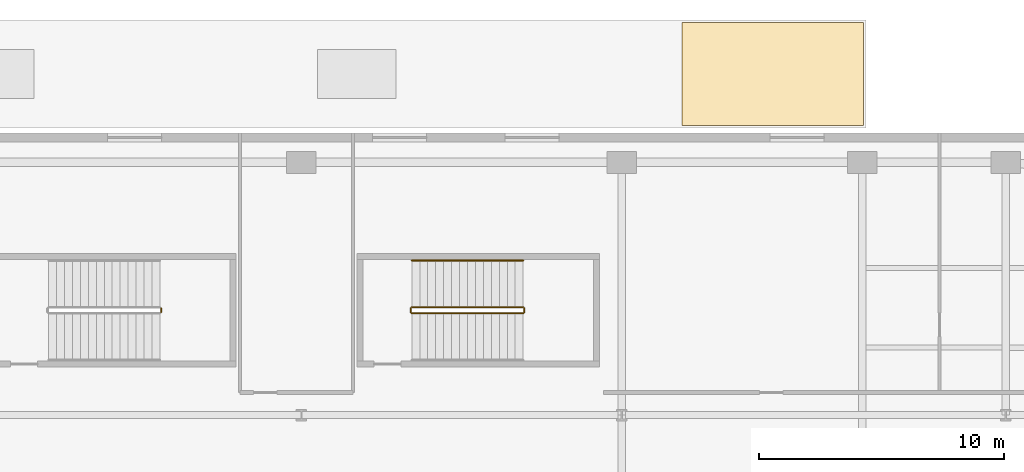
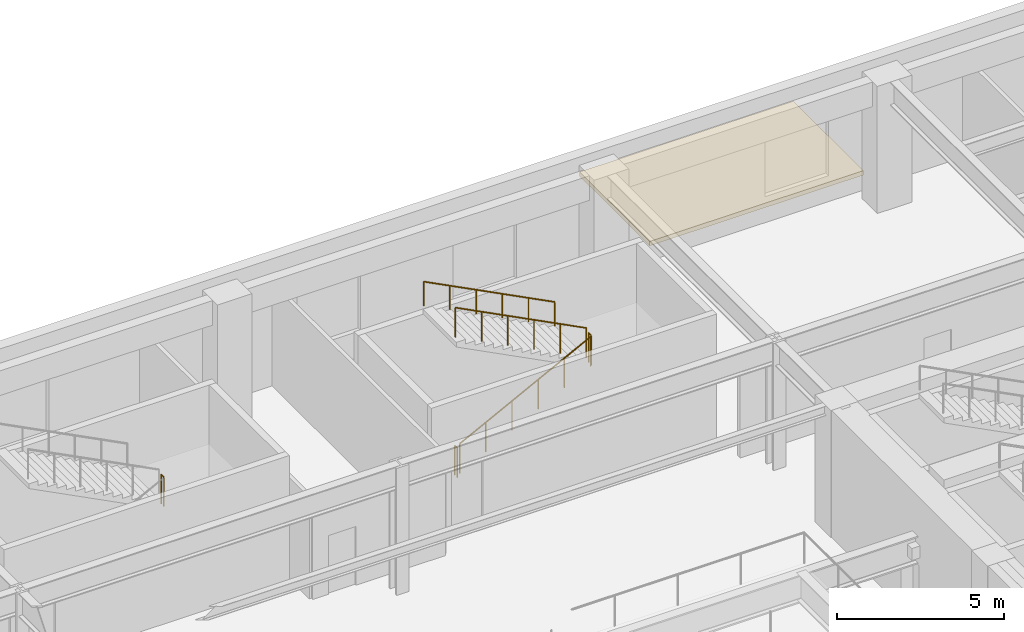
# One storey, part 22 of 24: 6 railings, 1 covering.
"""IFC4 building model written with IfcOpenShell, lengths in metres."""

from ifc_helpers import new_model, si_unit, direction, frame, origin, origin_2d, place, context, subcontext, project, spatial, polyline, circle, outline, extrude, material, layer, layer_set, type_object, element, save


model = new_model("IFC4")

# Units and contexts
model_context = context("Model", 3, precision=1e-05, world=origin(), true_north=direction((0.0, 1.0)))
body_context = subcontext(model_context, "Body", "Model", "MODEL_VIEW")
ifc_project = project(units=[si_unit("LENGTHUNIT", "METRE"), si_unit("AREAUNIT", "SQUARE_METRE"), si_unit("VOLUMEUNIT", "CUBIC_METRE"), si_unit("PLANEANGLEUNIT", "RADIAN"), si_unit("MASSUNIT", "GRAM", prefix="KILO")], contexts=[model_context])

# Site, building, storey
site_placement = place(None, origin())
site = spatial("IfcSite", under=ifc_project, at=site_placement, CompositionType="ELEMENT")
building_placement = place(site_placement, origin())
building = spatial("IfcBuilding", under=site, at=building_placement, Name="Kolvaren Arena Tower", CompositionType="ELEMENT")
storey_placement = place(building_placement, frame((0.0, 0.0, 8.0)))
storey = spatial("IfcBuildingStorey", under=building, at=storey_placement, Name="L01", CompositionType="ELEMENT", Elevation=8.0)

# Railings
ifc_material_1 = material(Name="Painted galvanized steel", Category="steel")
railing_type_1 = type_object("IfcRailingType", Name="GUARD-ST-110", PredefinedType="GUARDRAIL", material=ifc_material_1)
railing_1_placement = place(storey_placement, frame((31.785888671875, 47.199951171875, 2.5)))
element("IfcRailing", 1, at=railing_1_placement, inside=storey, type_object=railing_type_1, Name="L01 ST-A6 stair guard 2", PredefinedType="GUARDRAIL", context=body_context, shape_type="SweptSolid", body=[
    extrude(circle(Radius=0.02392578125, at=origin_2d()), frame((0.0, 0.0, 1.076171875), z_axis=(0.0, 1.0, 0.0), x_axis=(-1.0, 0.0, 0.0)), (0.0, 0.0, 1.0), 0.150146484375),
    extrude(circle(Radius=0.02099609375, at=origin_2d()), origin(), (0.0, 0.0, 1.0), 1.052001953125),
    extrude(circle(Radius=0.02099609375, at=origin_2d()), frame((0.0, 0.150146484375, 0.0)), (0.0, 0.0, 1.0), 1.052001953125),
])
railing_2_placement = place(storey_placement, frame((42.0, 47.14990234375, 0.166748046875)))
element("IfcRailing", 2, at=railing_2_placement, inside=storey, type_object=railing_type_1, Name="L01 ST-A7 stair guard 1", PredefinedType="GUARDRAIL", context=body_context, shape_type="SweptSolid", body=[
    extrude(circle(Radius=0.02392578125, at=origin_2d()), frame((0.0, 0.0, 1.076171875), z_axis=(0.889247197123, 0.0, 0.45742695855), x_axis=(0.0, 1.0, 0.0)), (0.0, 0.0, 1.0), 5.100830078125),
    extrude(circle(Radius=0.02099609375, at=origin_2d()), origin(), (0.0, 0.0, 1.0), 1.052001953125),
    extrude(circle(Radius=0.02099609375, at=origin_2d()), frame((0.9072265625, 0.0, 0.466552734375)), (0.0, 0.0, 1.0), 1.052001953125),
    extrude(circle(Radius=0.02099609375, at=origin_2d()), frame((1.814453125, 0.0, 0.933349609375)), (0.0, 0.0, 1.0), 1.052001953125),
    extrude(circle(Radius=0.02099609375, at=origin_2d()), frame((2.721435546875, 0.0, 1.39990234375)), (0.0, 0.0, 1.0), 1.052001953125),
    extrude(circle(Radius=0.02099609375, at=origin_2d()), frame((3.628662109375, 0.0, 1.86669921875)), (0.0, 0.0, 1.0), 1.052001953125),
    extrude(circle(Radius=0.02099609375, at=origin_2d()), frame((4.535888671875, 0.0, 2.333251953125)), (0.0, 0.0, 1.0), 1.052001953125),
])
railing_3_placement = place(storey_placement, frame((46.5859375, 47.199951171875, 2.5)))
element("IfcRailing", 3, at=railing_3_placement, inside=storey, type_object=railing_type_1, Name="L01 ST-A7 stair guard 2", PredefinedType="GUARDRAIL", context=body_context, shape_type="SweptSolid", body=[
    extrude(circle(Radius=0.02392578125, at=origin_2d()), frame((0.0, 0.0, 1.076171875), z_axis=(0.0, 1.0, 0.0), x_axis=(-1.0, 0.0, 0.0)), (0.0, 0.0, 1.0), 0.150146484375),
    extrude(circle(Radius=0.02099609375, at=origin_2d()), origin(), (0.0, 0.0, 1.0), 1.052001953125),
    extrude(circle(Radius=0.02099609375, at=origin_2d()), frame((0.0, 0.150146484375, 0.0)), (0.0, 0.0, 1.0), 1.052001953125),
])
railing_4_placement = place(storey_placement, frame((46.535888671875, 47.39990234375, 2.666748046875)))
element("IfcRailing", 4, at=railing_4_placement, inside=storey, type_object=railing_type_1, Name="L01 ST-A7 stair guard 3", PredefinedType="GUARDRAIL", context=body_context, shape_type="SweptSolid", body=[
    extrude(circle(Radius=0.02392578125, at=origin_2d()), frame((0.0, 0.0, 1.076171875), z_axis=(-0.889247197123, 0.0, 0.45742695855), x_axis=(0.0, -1.0, 0.0)), (0.0, 0.0, 1.0), 5.100830078125),
    extrude(circle(Radius=0.02099609375, at=origin_2d()), origin(), (0.0, 0.0, 1.0), 1.052001953125),
    extrude(circle(Radius=0.02099609375, at=origin_2d()), frame((-0.9072265625, 0.0, 0.466552734375)), (0.0, 0.0, 1.0), 1.052001953125),
    extrude(circle(Radius=0.02099609375, at=origin_2d()), frame((-1.814453125, 0.0, 0.933349609375)), (0.0, 0.0, 1.0), 1.052001953125),
    extrude(circle(Radius=0.02099609375, at=origin_2d()), frame((-2.721435546875, 0.0, 1.39990234375)), (0.0, 0.0, 1.0), 1.052001953125),
    extrude(circle(Radius=0.02099609375, at=origin_2d()), frame((-3.628662109375, 0.0, 1.86669921875)), (0.0, 0.0, 1.0), 1.052001953125),
    extrude(circle(Radius=0.02099609375, at=origin_2d()), frame((-4.535888671875, 0.0, 2.333251953125)), (0.0, 0.0, 1.0), 1.052001953125),
])
railing_5_placement = place(storey_placement, frame((41.949951171875, 47.199951171875, 0.0)))
element("IfcRailing", 5, at=railing_5_placement, inside=storey, type_object=railing_type_1, Name="L01 ST-A7 stair guard 4", PredefinedType="GUARDRAIL", context=body_context, shape_type="SweptSolid", body=[
    extrude(circle(Radius=0.02392578125, at=origin_2d()), frame((0.0, 0.0, 1.076171875), z_axis=(0.0, 1.0, 0.0), x_axis=(-1.0, 0.0, 0.0)), (0.0, 0.0, 1.0), 0.150146484375),
    extrude(circle(Radius=0.02099609375, at=origin_2d()), origin(), (0.0, 0.0, 1.0), 1.052001953125),
    extrude(circle(Radius=0.02099609375, at=origin_2d()), frame((0.0, 0.150146484375, 0.0)), (0.0, 0.0, 1.0), 1.052001953125),
])
ifc_material_2 = material(Name="Brushed stainless steel handrail", Category="steel")
railing_type_2 = type_object("IfcRailingType", Name="HRAIL-900", PredefinedType="HANDRAIL", material=ifc_material_2)
railing_6_placement = place(storey_placement, frame((46.535888671875, 49.300048828125, 2.666748046875)))
element("IfcRailing", 6, at=railing_6_placement, inside=storey, type_object=railing_type_2, Name="L01 ST-A7 stair handrail 2", PredefinedType="HANDRAIL", context=body_context, shape_type="SweptSolid", body=[
    extrude(circle(Radius=0.02392578125, at=origin_2d()), frame((0.0, 0.0, 0.8759765625), z_axis=(-0.889247197123, 0.0, 0.45742695855), x_axis=(0.0, -1.0, 0.0)), (0.0, 0.0, 1.0), 5.100830078125),
    extrude(circle(Radius=0.02099609375, at=origin_2d()), origin(), (0.0, 0.0, 1.0), 0.851806640625),
    extrude(circle(Radius=0.02099609375, at=origin_2d()), frame((-0.9072265625, 0.0, 0.466552734375)), (0.0, 0.0, 1.0), 0.851806640625),
    extrude(circle(Radius=0.02099609375, at=origin_2d()), frame((-1.814453125, 0.0, 0.933349609375)), (0.0, 0.0, 1.0), 0.851806640625),
    extrude(circle(Radius=0.02099609375, at=origin_2d()), frame((-2.721435546875, 0.0, 1.39990234375)), (0.0, 0.0, 1.0), 0.851806640625),
    extrude(circle(Radius=0.02099609375, at=origin_2d()), frame((-3.628662109375, 0.0, 1.86669921875)), (0.0, 0.0, 1.0), 0.851806640625),
    extrude(circle(Radius=0.02099609375, at=origin_2d()), frame((-4.535888671875, 0.0, 2.333251953125)), (0.0, 0.0, 1.0), 0.851806640625),
])

# Covering
ifc_material_3 = material(Name="Insulated cold-climate EPDM roof assembly", Category="concrete")
ifc_layer = layer(ifc_material_3, 0.159912109375)
ifc_layer_set = layer_set([ifc_layer], Name="Insulated cold-climate EPDM roof assembly")
covering_type = type_object("IfcCoveringType", Name="ROOF-MEM-1", PredefinedType="ROOFING", material=ifc_layer_set)
covering_placement = place(storey_placement, origin())
element("IfcCovering", 7, at=covering_placement, inside=storey, type_object=covering_type, Name="Cold-Climate Insulated EPDM Roof Assembly 6 (L01)", PredefinedType="ROOFING", context=body_context, shape_type="SweptSolid", body=[
    extrude(outline(polyline([(53.0, 54.800048828125), (60.39990234375, 54.800048828125), (60.39990234375, 59.0), (53.0, 59.0), (53.0, 54.800048828125)])), origin(), (0.0, 0.0, 1.0), 0.159912109375),
])

save(model, "model.ifc")
